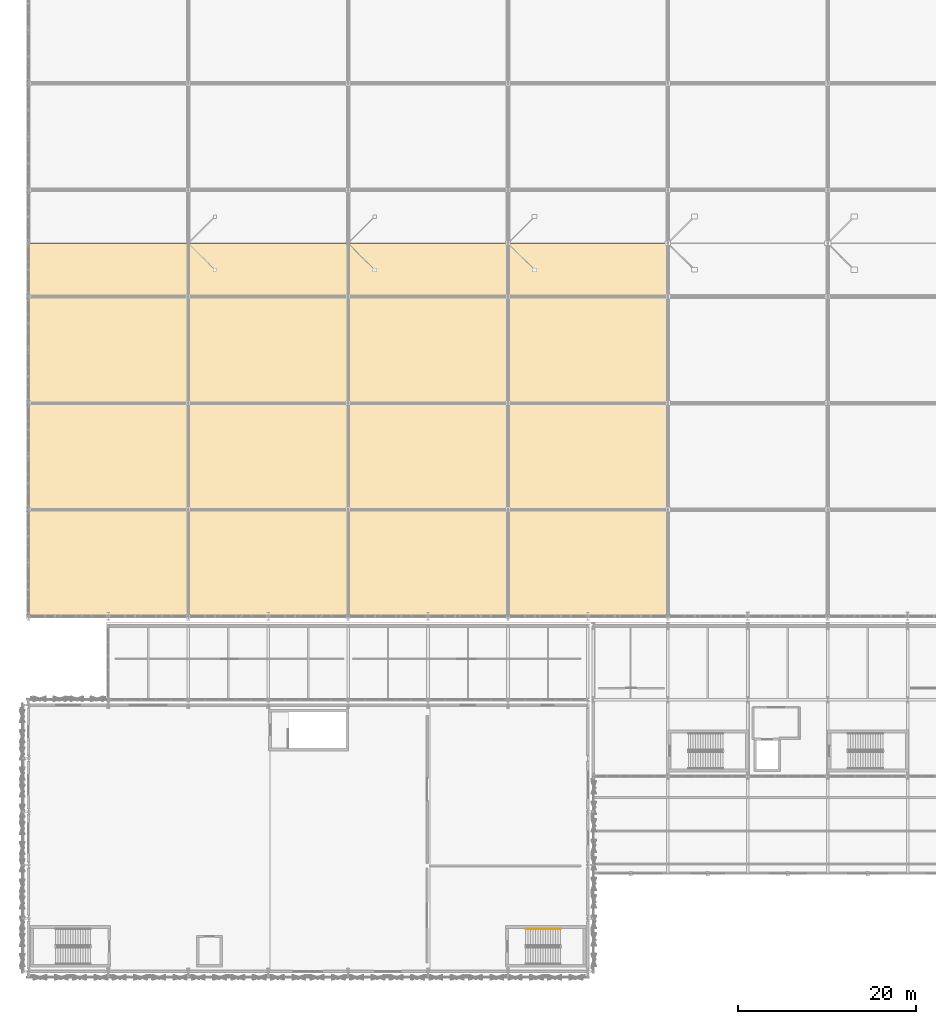
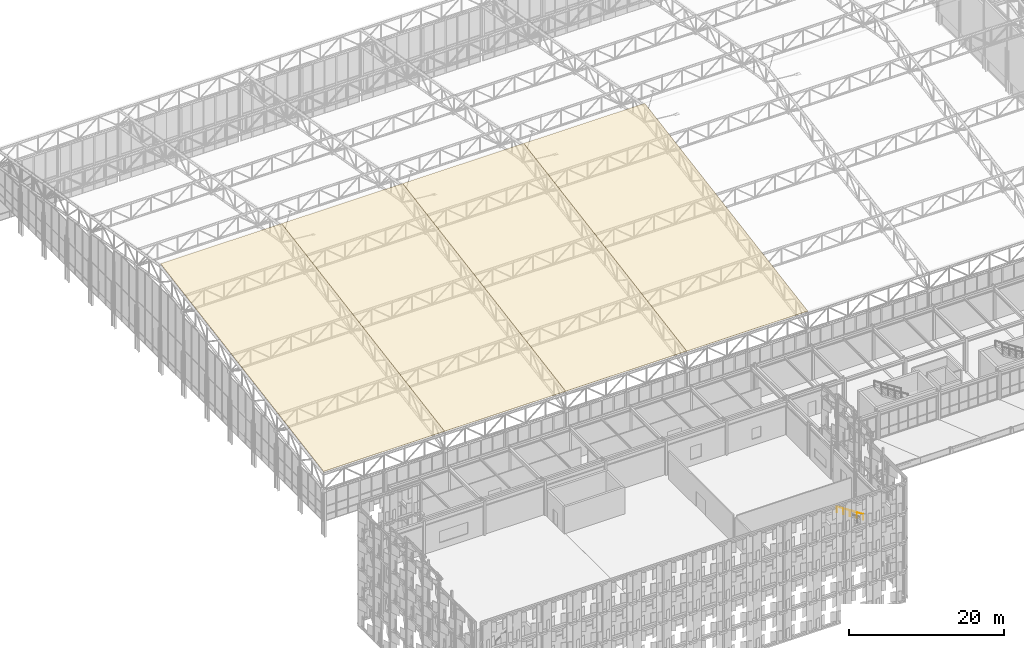
# One storey, part 220 of 239: 4 coverings, 1 railing.
"""IFC4 building model written with IfcOpenShell, lengths in metres."""

from ifc_helpers import new_model, si_unit, direction, frame, origin, origin_2d, place, context, subcontext, project, spatial, polyline, circle, outline, extrude, material, layer, layer_set, type_object, element, save


model = new_model("IFC4")

# Units and contexts
model_context = context("Model", 3, precision=1e-05, world=origin(), true_north=direction((0.0, 1.0)))
body_context = subcontext(model_context, "Body", "Model", "MODEL_VIEW")
ifc_project = project(units=[si_unit("LENGTHUNIT", "METRE"), si_unit("AREAUNIT", "SQUARE_METRE"), si_unit("VOLUMEUNIT", "CUBIC_METRE"), si_unit("PLANEANGLEUNIT", "RADIAN"), si_unit("MASSUNIT", "GRAM", prefix="KILO")], contexts=[model_context])

# Site, building, storey
site_placement = place(None, origin())
site = spatial("IfcSite", under=ifc_project, at=site_placement, CompositionType="ELEMENT")
building_placement = place(site_placement, origin())
building = spatial("IfcBuilding", under=site, at=building_placement, Name="Kaldris Quays Convention Centre", CompositionType="ELEMENT")
storey_placement = place(building_placement, frame((0.0, 0.0, 11.39990234375)))
storey = spatial("IfcBuildingStorey", under=building, at=storey_placement, Name="L02", CompositionType="ELEMENT", Elevation=11.39990234375)

# Coverings
ifc_material_1 = material(Name="Alabaster white star-pierced anodized aluminium panel", Category="aluminium")
ifc_layer = layer(ifc_material_1, 0.054931640625)
ifc_layer_set = layer_set([ifc_layer], Name="Alabaster white star-pierced anodized aluminium panel")
covering_type = type_object("IfcCoveringType", Name="ALABASTER WHITE STANDING SEAM ROOF SRF1", PredefinedType="ROOFING", material=ifc_layer_set)
for number, where, z_axis, x_axis, name in (
    (1, (20.0, 56.0, 10.104736328125), (0.0, -0.168959837226, 0.985622936728), (1.0, 0.0, 0.0), "Hall Alabaster White Standing-Seam Roof Panel 1"),
    (2, (38.0, 56.0, 10.104736328125), (0.0, -0.168959837226, 0.985622936728), (1.0, 0.0, 0.0), "Hall Alabaster White Standing-Seam Roof Panel 2"),
    (3, (56.0, 56.0, 10.104736328125), (0.0, -0.168959837226, 0.985622936728), (1.0, 0.0, 0.0), "Hall Alabaster White Standing-Seam Roof Panel 3"),
    (4, (74.0, 56.0, 10.104736328125), (0.0, -0.168959837226, 0.985622936728), (1.0, 0.0, 0.0), "Hall Alabaster White Standing-Seam Roof Panel 4"),
):
    element("IfcCovering", number, at=place(storey_placement, frame(where, z_axis=z_axis, x_axis=x_axis)), inside=storey, type_object=covering_type, Name=name, PredefinedType="ROOFING", context=body_context, shape_type="SweptSolid", body=[
        extrude(outline(polyline([(0.0, 0.0), (18.0, 0.0), (18.0, 42.587379100153214), (0.0, 42.587379100153214), (0.0, 0.0)])), origin(), (0.0, 0.0, -1.0), 0.054931640625),
    ])

# Railing
ifc_material_2 = material(Name="Stainless steel 1.4301", Category="steel")
railing_type = type_object("IfcRailingType", Name="STAIR HANDRAIL HR01", PredefinedType="HANDRAIL", material=ifc_material_2)
railing_placement = place(storey_placement, frame((79.919921875, 20.800048828125, 2.880126953125)))
element("IfcRailing", 5, at=railing_placement, inside=storey, type_object=railing_type, Name="L02 ST06 Flight Handrail 2", PredefinedType="HANDRAIL", context=body_context, shape_type="SweptSolid", body=[
    extrude(circle(Radius=0.02392578125, at=origin_2d()), frame((0.0, 0.0, 0.8759765625), z_axis=(-0.841171666519, 0.0, 0.540768182723), x_axis=(0.0, -1.0, 0.0)), (0.0, 0.0, 1.0), 4.66015625),
    extrude(circle(Radius=0.02099609375, at=origin_2d()), origin(), (0.0, 0.0, 1.0), 0.851806640625),
    extrude(circle(Radius=0.02099609375, at=origin_2d()), frame((-0.97998046875, 0.0, 0.6298828125)), (0.0, 0.0, 1.0), 0.851806640625),
    extrude(circle(Radius=0.02099609375, at=origin_2d()), frame((-1.9599609375, 0.0, 1.260009765625)), (0.0, 0.0, 1.0), 0.851806640625),
    extrude(circle(Radius=0.02099609375, at=origin_2d()), frame((-2.93994140625, 0.0, 1.89013671875)), (0.0, 0.0, 1.0), 0.851806640625),
    extrude(circle(Radius=0.02099609375, at=origin_2d()), frame((-3.919921875, 0.0, 2.52001953125)), (0.0, 0.0, 1.0), 0.851806640625),
])

save(model, "model.ifc")
